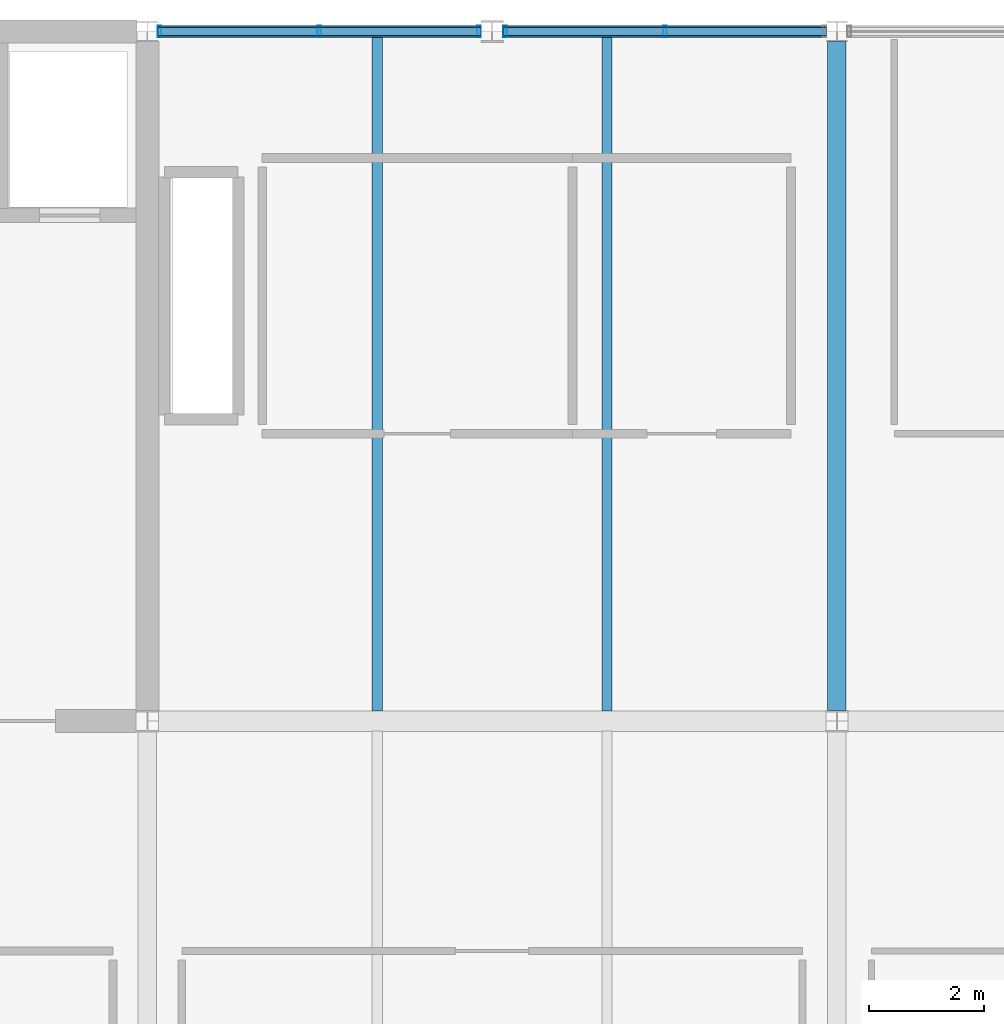
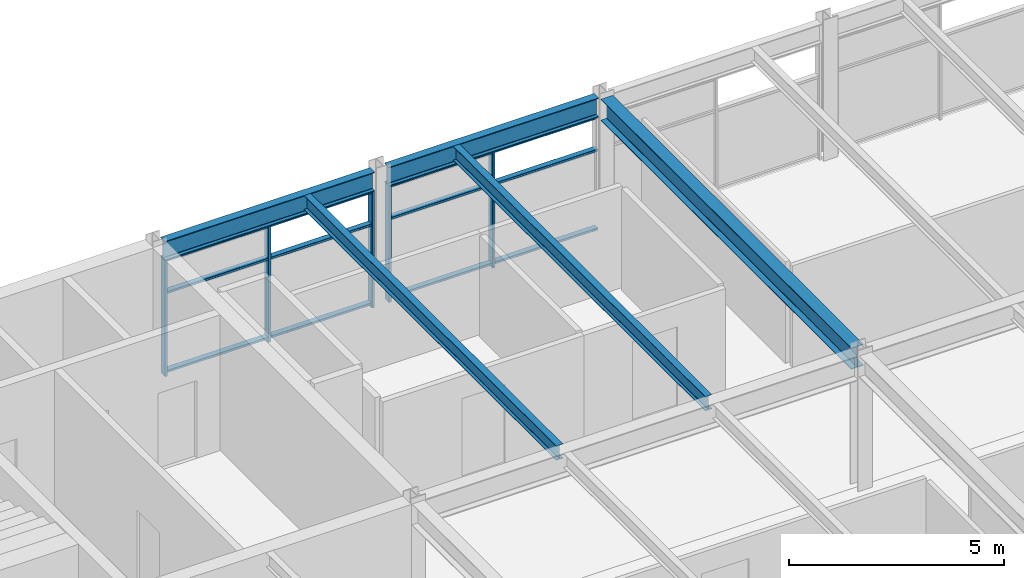
# One storey, part 13 of 30: 11 members, 5 beams, 2 elements without a shape of their own.
"""IFC4 building model written with IfcOpenShell, lengths in metres."""

from ifc_helpers import new_model, si_unit, direction, frame, origin, origin_2d, place, context, subcontext, project, spatial, hollow_rectangle, i_section, extrude, material, material_profile, profile_set, type_object, element, aggregate, save


model = new_model("IFC4")

# Units and contexts
model_context = context("Model", 3, precision=1e-05, world=origin(), true_north=direction((0.0, 1.0)))
body_context = subcontext(model_context, "Body", "Model", "MODEL_VIEW")
ifc_project = project(units=[si_unit("LENGTHUNIT", "METRE"), si_unit("AREAUNIT", "SQUARE_METRE"), si_unit("VOLUMEUNIT", "CUBIC_METRE"), si_unit("PLANEANGLEUNIT", "RADIAN"), si_unit("MASSUNIT", "GRAM", prefix="KILO")], contexts=[model_context])

# Site, building, storey
site_placement = place(None, origin())
site = spatial("IfcSite", under=ifc_project, at=site_placement, CompositionType="ELEMENT")
building_placement = place(site_placement, origin())
building = spatial("IfcBuilding", under=site, at=building_placement, Name="Girod Span Mobility Hub", CompositionType="ELEMENT")
storey_placement = place(building_placement, frame((0.0, 0.0, 49.60009765625)))
storey = spatial("IfcBuildingStorey", under=building, at=storey_placement, Name="L12", CompositionType="ELEMENT", Elevation=49.60009765625)

# Beams
ifc_material_1 = material(Name="Steel A992 Grade 50", Category="steel")
ifc_material_profile_1 = material_profile(ifc_material_1, i_section(OverallWidth=0.178955078125, OverallDepth=0.409912109375, WebThickness=0.0087890625, FlangeThickness=0.014404296875, FilletRadius=0.012939453125, at=origin_2d()), Name="W16X45")
ifc_profile_set_1 = profile_set([ifc_material_profile_1], Name="Steel A992 Grade 50")
beam_type_1 = type_object("IfcBeamType", Name="BM-STL-W16X45", PredefinedType="BEAM", material=ifc_profile_set_1)
for number, where, z_axis, x_axis, name in (
    (1, (64.0, 57.174560546875, 3.639892578125), (0.0, 1.0, 0.0), (-1.0, 0.0, 0.0), "Composite Floorbeam 6/E-1 L12"),
    (2, (68.0, 57.174560546875, 3.639892578125), (0.0, 1.0, 0.0), (-1.0, 0.0, 0.0), "Composite Floorbeam 6/E-2 L12"),
):
    element("IfcBeam", number, at=place(storey_placement, frame(where, z_axis=z_axis, x_axis=x_axis)), inside=storey, type_object=beam_type_1, Name=name, PredefinedType="BEAM", context=body_context, shape_type="SweptSolid", body=[
        extrude(i_section(OverallWidth=0.178955078125, OverallDepth=0.409912109375, WebThickness=0.0087890625, FlangeThickness=0.014404296875, FilletRadius=0.012939453125, at=origin_2d()), origin(), (0.0, 0.0, 1.0), 11.722412109375),
    ])
ifc_material_2 = material(Name="Steel A992 Grade 50", Category="steel")
ifc_material_profile_2 = material_profile(ifc_material_2, i_section(OverallWidth=0.2119140625, OverallDepth=0.5439453125, WebThickness=0.01318359375, FlangeThickness=0.021240234375, FilletRadius=0.014892578125, at=origin_2d()), Name="W21X83")
ifc_profile_set_2 = profile_set([ifc_material_profile_2], Name="Steel A992 Grade 50")
beam_type_2 = type_object("IfcBeamType", Name="BM-STL-W21X83", PredefinedType="SPANDREL", material=ifc_profile_set_2)
for number, where, z_axis, x_axis, name in (
    (3, (60.181396484375, 69.0, 3.572998046875), (1.0, 0.0, 0.0), (0.0, 1.0, 0.0), "Spandrel Beam 6-7/F-W L12"),
    (4, (66.194091796875, 69.0, 3.572998046875), (1.0, 0.0, 0.0), (0.0, 1.0, 0.0), "Spandrel Beam 6-7/F-E L12"),
):
    element("IfcBeam", number, at=place(storey_placement, frame(where, z_axis=z_axis, x_axis=x_axis)), inside=storey, type_object=beam_type_2, Name=name, PredefinedType="SPANDREL", context=body_context, shape_type="SweptSolid", body=[
        extrude(i_section(OverallWidth=0.2119140625, OverallDepth=0.5439453125, WebThickness=0.01318359375, FlangeThickness=0.021240234375, FilletRadius=0.014892578125, at=origin_2d()), origin(), (0.0, 0.0, 1.0), 5.62451171875),
    ])
ifc_material_3 = material(Name="Steel A992 Grade 50", Category="steel")
ifc_material_profile_3 = material_profile(ifc_material_3, i_section(OverallWidth=0.323974609375, OverallDepth=0.611083984375, WebThickness=0.0126953125, FlangeThickness=0.01904296875, FilletRadius=0.014892578125, at=origin_2d()), Name="W24X104")
ifc_profile_set_3 = profile_set([ifc_material_profile_3], Name="Steel A992 Grade 50")
beam_type_3 = type_object("IfcBeamType", Name="BM-STL-W24X104", PredefinedType="BEAM", material=ifc_profile_set_3)
beam_placement = place(storey_placement, frame((72.0, 57.1845703125, 3.539306640625), z_axis=(0.0, 1.0, 0.0), x_axis=(-1.0, 0.0, 0.0)))
element("IfcBeam", 5, at=beam_placement, inside=storey, type_object=beam_type_3, Name="Tie Girder 7/E-F L12", PredefinedType="BEAM", context=body_context, shape_type="SweptSolid", body=[
    extrude(i_section(OverallWidth=0.323974609375, OverallDepth=0.611083984375, WebThickness=0.0126953125, FlangeThickness=0.01904296875, FilletRadius=0.014892578125, at=origin_2d()), origin(), (0.0, 0.0, 1.0), 11.640380859375),
])

# Curtain wall, members
ifc_material_4 = material(Name="Thermally Broken Anodised Aluminium", Category="aluminium")
curtain_wall_type = type_object("IfcCurtainWallType", Name="CW-562X330", PredefinedType="USERDEFINED", material=ifc_material_4)
curtain_wall_1_placement = place(storey_placement, origin())
curtain_wall_1 = element("IfcCurtainWall", 6, at=curtain_wall_1_placement, inside=storey, type_object=curtain_wall_type, Name="Unitised Curtain Wall CW-L12-N06W L12", ObjectType="UNITISED CURTAIN WALL", PredefinedType="USERDEFINED")
ifc_material_5 = material(Name="Thermally Broken Anodised Aluminium", Category="aluminium")
ifc_material_profile_4 = material_profile(ifc_material_5, hollow_rectangle(XDim=0.199951171875, YDim=0.06494140625, WallThickness=0.00390625, InnerFilletRadius=0.00390625, OuterFilletRadius=0.008056640625, at=origin_2d()), Name="CW-ML-65X200")
ifc_profile_set_4 = profile_set([ifc_material_profile_4], Name="Thermally Broken Anodised Aluminium")
member_type_1 = type_object("IfcMemberType", Name="CWM-ML-1", PredefinedType="MULLION", material=ifc_profile_set_4)
member_1_placement = place(storey_placement, frame((60.214599609375, 69.0, 0.0), z_axis=(0.0, 0.0, 1.0), x_axis=(0.0, 1.0, 0.0)))
member_1 = element("IfcMember", 7, at=member_1_placement, type_object=member_type_1, Name="Curtain Wall Mullion CW-L12-N06W-M0", PredefinedType="MULLION", context=body_context, shape_type="SweptSolid", body=[
    extrude(hollow_rectangle(XDim=0.199951171875, YDim=0.06494140625, WallThickness=0.00390625, InnerFilletRadius=0.00390625, OuterFilletRadius=0.008056640625, at=origin_2d()), origin(), (0.0, 0.0, 1.0), 3.30078125),
])
member_2_placement = place(storey_placement, frame((62.993896484375, 69.0, 0.0), z_axis=(0.0, 0.0, 1.0), x_axis=(0.0, 1.0, 0.0)))
member_2 = element("IfcMember", 8, at=member_2_placement, type_object=member_type_1, Name="Curtain Wall Mullion CW-L12-N06W-M1", PredefinedType="MULLION", context=body_context, shape_type="SweptSolid", body=[
    extrude(hollow_rectangle(XDim=0.199951171875, YDim=0.06494140625, WallThickness=0.00390625, InnerFilletRadius=0.00390625, OuterFilletRadius=0.008056640625, at=origin_2d()), origin(), (0.0, 0.0, 1.0), 3.30078125),
])
member_3_placement = place(storey_placement, frame((65.77294921875, 69.0, 0.0), z_axis=(0.0, 0.0, 1.0), x_axis=(0.0, 1.0, 0.0)))
member_3 = element("IfcMember", 9, at=member_3_placement, type_object=member_type_1, Name="Curtain Wall Mullion CW-L12-N06W-M2", PredefinedType="MULLION", context=body_context, shape_type="SweptSolid", body=[
    extrude(hollow_rectangle(XDim=0.199951171875, YDim=0.06494140625, WallThickness=0.00390625, InnerFilletRadius=0.00390625, OuterFilletRadius=0.008056640625, at=origin_2d()), origin(), (0.0, 0.0, 1.0), 3.30078125),
])

curtain_wall_2_placement = place(storey_placement, origin())
curtain_wall_2 = element("IfcCurtainWall", 10, at=curtain_wall_2_placement, inside=storey, type_object=curtain_wall_type, Name="Unitised Curtain Wall CW-L12-N06E L12", ObjectType="UNITISED CURTAIN WALL", PredefinedType="USERDEFINED")
member_4_placement = place(storey_placement, frame((66.22705078125, 69.0, 0.0), z_axis=(0.0, 0.0, 1.0), x_axis=(0.0, 1.0, 0.0)))
member_4 = element("IfcMember", 11, at=member_4_placement, type_object=member_type_1, Name="Curtain Wall Mullion CW-L12-N06E-M0", PredefinedType="MULLION", context=body_context, shape_type="SweptSolid", body=[
    extrude(hollow_rectangle(XDim=0.199951171875, YDim=0.06494140625, WallThickness=0.00390625, InnerFilletRadius=0.00390625, OuterFilletRadius=0.008056640625, at=origin_2d()), origin(), (0.0, 0.0, 1.0), 3.30078125),
])
member_5_placement = place(storey_placement, frame((69.006103515625, 69.0, 0.0), z_axis=(0.0, 0.0, 1.0), x_axis=(0.0, 1.0, 0.0)))
member_5 = element("IfcMember", 12, at=member_5_placement, type_object=member_type_1, Name="Curtain Wall Mullion CW-L12-N06E-M1", PredefinedType="MULLION", context=body_context, shape_type="SweptSolid", body=[
    extrude(hollow_rectangle(XDim=0.199951171875, YDim=0.06494140625, WallThickness=0.00390625, InnerFilletRadius=0.00390625, OuterFilletRadius=0.008056640625, at=origin_2d()), origin(), (0.0, 0.0, 1.0), 3.30078125),
])

# Member
ifc_material_6 = material(Name="Thermally Broken Anodised Aluminium", Category="aluminium")
ifc_material_profile_5 = material_profile(ifc_material_6, hollow_rectangle(XDim=0.14990234375, YDim=0.06494140625, WallThickness=0.00390625, InnerFilletRadius=0.00390625, OuterFilletRadius=0.008056640625, at=origin_2d()), Name="CW-TR-65X150")
ifc_profile_set_5 = profile_set([ifc_material_profile_5], Name="Thermally Broken Anodised Aluminium")
member_type_2 = type_object("IfcMemberType", Name="CWM-TR-1", PredefinedType="USERDEFINED", material=ifc_profile_set_5)
member_6_placement = place(storey_placement, frame((60.1826171875, 69.0, 0.107421875), z_axis=(1.0, 0.0, 0.0), x_axis=(0.0, 1.0, 0.0)))
member_6 = element("IfcMember", 13, at=member_6_placement, type_object=member_type_2, Name="Curtain Wall Transom CW-L12-N06W-T1", ObjectType="TRANSOM", PredefinedType="USERDEFINED", context=body_context, shape_type="SweptSolid", body=[
    extrude(hollow_rectangle(XDim=0.14990234375, YDim=0.06494140625, WallThickness=0.00390625, InnerFilletRadius=0.00390625, OuterFilletRadius=0.008056640625, at=origin_2d()), origin(), (0.0, 0.0, 1.0), 5.622314453125),
])

member_7_placement = place(storey_placement, frame((60.1826171875, 69.0, 2.343994140625), z_axis=(1.0, 0.0, 0.0), x_axis=(0.0, 1.0, 0.0)))
member_7 = element("IfcMember", 14, at=member_7_placement, type_object=member_type_2, Name="Curtain Wall Transom CW-L12-N06W-T2", ObjectType="TRANSOM", PredefinedType="USERDEFINED", context=body_context, shape_type="SweptSolid", body=[
    extrude(hollow_rectangle(XDim=0.14990234375, YDim=0.06494140625, WallThickness=0.00390625, InnerFilletRadius=0.00390625, OuterFilletRadius=0.008056640625, at=origin_2d()), origin(), (0.0, 0.0, 1.0), 5.622314453125),
])

member_8_placement = place(storey_placement, frame((60.1826171875, 69.0, 3.268310546875), z_axis=(1.0, 0.0, 0.0), x_axis=(0.0, 1.0, 0.0)))
member_8 = element("IfcMember", 15, at=member_8_placement, type_object=member_type_2, Name="Curtain Wall Transom CW-L12-N06W-T3", ObjectType="TRANSOM", PredefinedType="USERDEFINED", context=body_context, shape_type="SweptSolid", body=[
    extrude(hollow_rectangle(XDim=0.14990234375, YDim=0.06494140625, WallThickness=0.00390625, InnerFilletRadius=0.00390625, OuterFilletRadius=0.008056640625, at=origin_2d()), origin(), (0.0, 0.0, 1.0), 5.622314453125),
])

aggregate(curtain_wall_1, [member_1, member_2, member_3, member_6, member_7, member_8])

member_9_placement = place(storey_placement, frame((66.195068359375, 69.0, 0.107421875), z_axis=(1.0, 0.0, 0.0), x_axis=(0.0, 1.0, 0.0)))
member_9 = element("IfcMember", 16, at=member_9_placement, type_object=member_type_2, Name="Curtain Wall Transom CW-L12-N06E-T1", ObjectType="TRANSOM", PredefinedType="USERDEFINED", context=body_context, shape_type="SweptSolid", body=[
    extrude(hollow_rectangle(XDim=0.14990234375, YDim=0.06494140625, WallThickness=0.00390625, InnerFilletRadius=0.00390625, OuterFilletRadius=0.008056640625, at=origin_2d()), origin(), (0.0, 0.0, 1.0), 5.622314453125),
])

member_10_placement = place(storey_placement, frame((66.195068359375, 69.0, 2.343994140625), z_axis=(1.0, 0.0, 0.0), x_axis=(0.0, 1.0, 0.0)))
member_10 = element("IfcMember", 17, at=member_10_placement, type_object=member_type_2, Name="Curtain Wall Transom CW-L12-N06E-T2", ObjectType="TRANSOM", PredefinedType="USERDEFINED", context=body_context, shape_type="SweptSolid", body=[
    extrude(hollow_rectangle(XDim=0.14990234375, YDim=0.06494140625, WallThickness=0.00390625, InnerFilletRadius=0.00390625, OuterFilletRadius=0.008056640625, at=origin_2d()), origin(), (0.0, 0.0, 1.0), 5.622314453125),
])

member_11_placement = place(storey_placement, frame((66.195068359375, 69.0, 3.268310546875), z_axis=(1.0, 0.0, 0.0), x_axis=(0.0, 1.0, 0.0)))
member_11 = element("IfcMember", 18, at=member_11_placement, type_object=member_type_2, Name="Curtain Wall Transom CW-L12-N06E-T3", ObjectType="TRANSOM", PredefinedType="USERDEFINED", context=body_context, shape_type="SweptSolid", body=[
    extrude(hollow_rectangle(XDim=0.14990234375, YDim=0.06494140625, WallThickness=0.00390625, InnerFilletRadius=0.00390625, OuterFilletRadius=0.008056640625, at=origin_2d()), origin(), (0.0, 0.0, 1.0), 5.622314453125),
])

aggregate(curtain_wall_2, [member_4, member_5, member_9, member_10, member_11])

save(model, "model.ifc")
